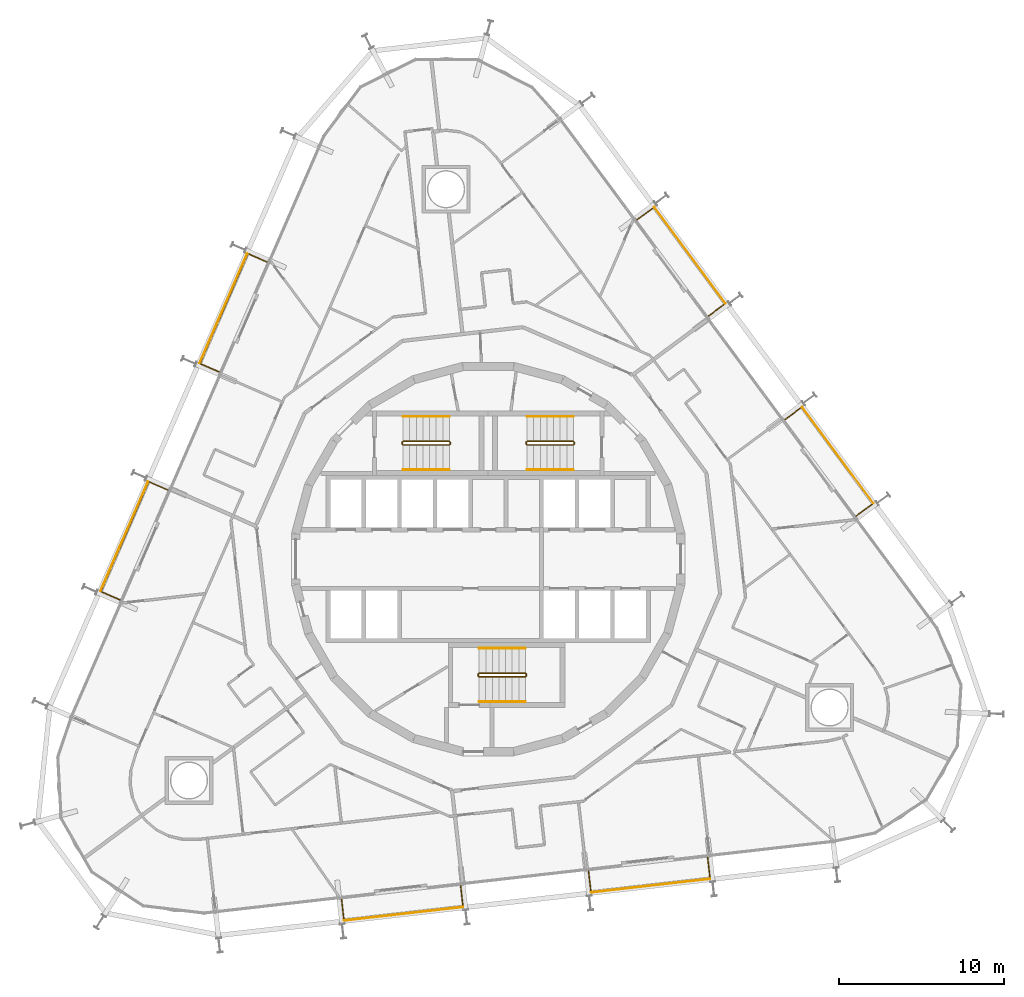
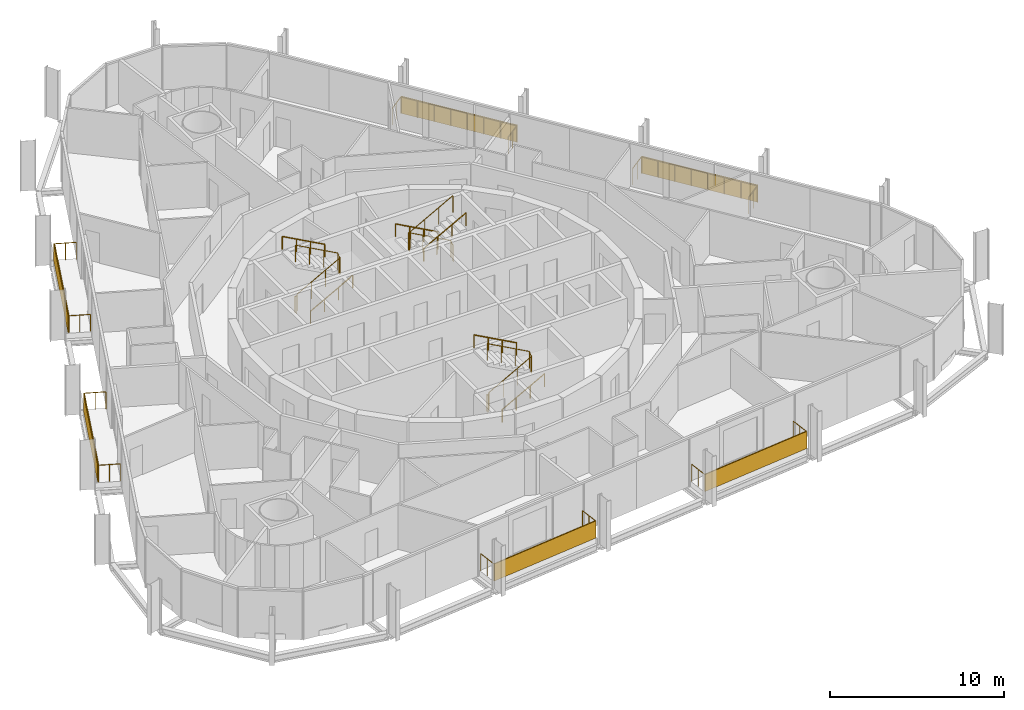
# One storey, part 21 of 21: 15 railings, 6 shading devices.
"""IFC4 building model written with IfcOpenShell, lengths in metres."""

from ifc_helpers import new_model, si_unit, direction, frame, origin, origin_2d, place, context, subcontext, project, spatial, rectangle, circle, extrude, material, layer, layer_set, type_object, element, save


model = new_model("IFC4")

# Units and contexts
model_context = context("Model", 3, precision=1e-05, world=origin(), true_north=direction((0.0, 1.0)))
body_context = subcontext(model_context, "Body", "Model", "MODEL_VIEW")
ifc_project = project(units=[si_unit("LENGTHUNIT", "METRE"), si_unit("AREAUNIT", "SQUARE_METRE"), si_unit("VOLUMEUNIT", "CUBIC_METRE"), si_unit("PLANEANGLEUNIT", "RADIAN"), si_unit("MASSUNIT", "GRAM", prefix="KILO")], contexts=[model_context])

# Site, building, storey
site_placement = place(None, origin())
site = spatial("IfcSite", under=ifc_project, at=site_placement, CompositionType="ELEMENT")
building_placement = place(site_placement, origin())
building = spatial("IfcBuilding", under=site, at=building_placement, Name="Spindle Arch Residences", CompositionType="ELEMENT")
storey_placement = place(building_placement, frame((0.0, 0.0, 97.699951171875)))
storey = spatial("IfcBuildingStorey", under=building, at=storey_placement, Name="L23", CompositionType="ELEMENT", Elevation=97.699951171875)

# Railings
ifc_material_1 = material(Name="Bronze anodised aluminium guard with glass infill", Category="aluminium")
railing_type_1 = type_object("IfcRailingType", Name="Balcony guard 1200", PredefinedType="GUARDRAIL", material=ifc_material_1)
railing_1_placement = place(storey_placement, frame((6.07080078125, -18.881591796875, 0.0)))
element("IfcRailing", 1, at=railing_1_placement, inside=storey, type_object=railing_type_1, Name="Guard L23 bay 1", PredefinedType="GUARDRAIL", context=body_context, shape_type="SweptSolid", body=[
    extrude(circle(Radius=0.02392578125, at=origin_2d()), frame((0.0, 0.0, 1.17578125), z_axis=(0.11328218126, -0.993562855289, 0.0), x_axis=(0.993562855289, 0.11328218126, 0.0)), (0.0, 0.0, 1.0), 1.25),
    extrude(circle(Radius=0.02392578125, at=origin_2d()), frame((0.1416015625, -1.241943359375, 1.17578125), z_axis=(0.993572236179, 0.113199874095, 0.0), x_axis=(-0.113199874095, 0.993572236179, 0.0)), (0.0, 0.0, 1.0), 7.248779296875),
    extrude(circle(Radius=0.02392578125, at=origin_2d()), frame((7.34375, -0.42138671875, 1.17578125), z_axis=(-0.113089367196, 0.993584820248, 0.0), x_axis=(-0.993584820248, -0.113089367196, 0.0)), (0.0, 0.0, 1.0), 1.25),
    extrude(circle(Radius=0.02099609375, at=origin_2d()), origin(), (0.0, 0.0, 1.0), 1.15185546875),
    extrude(circle(Radius=0.02099609375, at=origin_2d()), frame((0.07080078125, -0.62109375, 0.0)), (0.0, 0.0, 1.0), 1.15185546875),
    extrude(circle(Radius=0.02099609375, at=origin_2d()), frame((0.1416015625, -1.241943359375, 0.0)), (0.0, 0.0, 1.0), 1.15185546875),
    extrude(circle(Radius=0.02099609375, at=origin_2d()), frame((1.17041015625, -1.124755859375, 0.0)), (0.0, 0.0, 1.0), 1.15185546875),
    extrude(circle(Radius=0.02099609375, at=origin_2d()), frame((2.199462890625, -1.007568359375, 0.0)), (0.0, 0.0, 1.0), 1.15185546875),
    extrude(circle(Radius=0.02099609375, at=origin_2d()), frame((3.228271484375, -0.890380859375, 0.0)), (0.0, 0.0, 1.0), 1.15185546875),
    extrude(circle(Radius=0.02099609375, at=origin_2d()), frame((4.257080078125, -0.77294921875, 0.0)), (0.0, 0.0, 1.0), 1.15185546875),
    extrude(circle(Radius=0.02099609375, at=origin_2d()), frame((5.285888671875, -0.65576171875, 0.0)), (0.0, 0.0, 1.0), 1.15185546875),
    extrude(circle(Radius=0.02099609375, at=origin_2d()), frame((6.31494140625, -0.53857421875, 0.0)), (0.0, 0.0, 1.0), 1.15185546875),
    extrude(circle(Radius=0.02099609375, at=origin_2d()), frame((7.34375, -0.42138671875, 0.0)), (0.0, 0.0, 1.0), 1.15185546875),
    extrude(circle(Radius=0.02099609375, at=origin_2d()), frame((7.27294921875, 0.19970703125, 0.0)), (0.0, 0.0, 1.0), 1.15185546875),
    extrude(circle(Radius=0.02099609375, at=origin_2d()), frame((7.202392578125, 0.820556640625, 0.0)), (0.0, 0.0, 1.0), 1.15185546875),
])
railing_2_placement = place(storey_placement, frame((22.26123046875, 2.6103515625, 0.0)))
element("IfcRailing", 2, at=railing_2_placement, inside=storey, type_object=railing_type_1, Name="Guard L23 bay 7", PredefinedType="GUARDRAIL", context=body_context, shape_type="SweptSolid", body=[
    extrude(circle(Radius=0.02392578125, at=origin_2d()), frame((0.0, 0.0, 1.17578125), z_axis=(0.803920341668, 0.594736987459, 0.0), x_axis=(-0.594736987459, 0.803920341668, 0.0)), (0.0, 0.0, 1.0), 1.25),
    extrude(circle(Radius=0.02392578125, at=origin_2d()), frame((1.0048828125, 0.743408203125, 1.17578125), z_axis=(-0.594814278624, 0.803863156231, 0.0), x_axis=(-0.803863156231, -0.594814278624, 0.0)), (0.0, 0.0, 1.0), 7.2490234375),
    extrude(circle(Radius=0.02392578125, at=origin_2d()), frame((-3.306884765625, 6.570556640625, 1.17578125), z_axis=(-0.803826957932, -0.594863195787, 0.0), x_axis=(0.594863195787, -0.803826957932, 0.0)), (0.0, 0.0, 1.0), 1.250244140625),
    extrude(circle(Radius=0.02099609375, at=origin_2d()), origin(), (0.0, 0.0, 1.0), 1.15185546875),
    extrude(circle(Radius=0.02099609375, at=origin_2d()), frame((0.50244140625, 0.37158203125, 0.0)), (0.0, 0.0, 1.0), 1.15185546875),
    extrude(circle(Radius=0.02099609375, at=origin_2d()), frame((1.0048828125, 0.743408203125, 0.0)), (0.0, 0.0, 1.0), 1.15185546875),
    extrude(circle(Radius=0.02099609375, at=origin_2d()), frame((0.388916015625, 1.575927734375, 0.0)), (0.0, 0.0, 1.0), 1.15185546875),
    extrude(circle(Radius=0.02099609375, at=origin_2d()), frame((-0.22705078125, 2.408203125, 0.0)), (0.0, 0.0, 1.0), 1.15185546875),
    extrude(circle(Radius=0.02099609375, at=origin_2d()), frame((-0.843017578125, 3.24072265625, 0.0)), (0.0, 0.0, 1.0), 1.15185546875),
    extrude(circle(Radius=0.02099609375, at=origin_2d()), frame((-1.458984375, 4.0732421875, 0.0)), (0.0, 0.0, 1.0), 1.15185546875),
    extrude(circle(Radius=0.02099609375, at=origin_2d()), frame((-2.074951171875, 4.90576171875, 0.0)), (0.0, 0.0, 1.0), 1.15185546875),
    extrude(circle(Radius=0.02099609375, at=origin_2d()), frame((-2.69091796875, 5.738037109375, 0.0)), (0.0, 0.0, 1.0), 1.15185546875),
    extrude(circle(Radius=0.02099609375, at=origin_2d()), frame((-3.306884765625, 6.570556640625, 0.0)), (0.0, 0.0, 1.0), 1.15185546875),
    extrude(circle(Radius=0.02099609375, at=origin_2d()), frame((-3.809326171875, 6.19873046875, 0.0)), (0.0, 0.0, 1.0), 1.15185546875),
    extrude(circle(Radius=0.02099609375, at=origin_2d()), frame((-4.311767578125, 5.826904296875, 0.0)), (0.0, 0.0, 1.0), 1.15185546875),
])
railing_3_placement = place(storey_placement, frame((13.316650390625, 14.698486328125, 0.0)))
element("IfcRailing", 3, at=railing_3_placement, inside=storey, type_object=railing_type_1, Name="Guard L23 bay 9", PredefinedType="GUARDRAIL", context=body_context, shape_type="SweptSolid", body=[
    extrude(circle(Radius=0.02392578125, at=origin_2d()), frame((0.0, 0.0, 1.17578125), z_axis=(0.803851239792, 0.594830382786, 0.0), x_axis=(-0.594830382786, 0.803851239792, 0.0)), (0.0, 0.0, 1.0), 1.249755859375),
    extrude(circle(Radius=0.02392578125, at=origin_2d()), frame((1.004638671875, 0.743408203125, 1.17578125), z_axis=(-0.594830382786, 0.803851239792, 0.0), x_axis=(-0.803851239792, -0.594830382786, 0.0)), (0.0, 0.0, 1.0), 7.248779296875),
    extrude(circle(Radius=0.02392578125, at=origin_2d()), frame((-3.30712890625, 6.5703125, 1.17578125), z_axis=(-0.803851239792, -0.594830382786, 0.0), x_axis=(0.594830382786, -0.803851239792, 0.0)), (0.0, 0.0, 1.0), 1.249755859375),
    extrude(circle(Radius=0.02099609375, at=origin_2d()), origin(), (0.0, 0.0, 1.0), 1.15185546875),
    extrude(circle(Radius=0.02099609375, at=origin_2d()), frame((0.50244140625, 0.37158203125, 0.0)), (0.0, 0.0, 1.0), 1.15185546875),
    extrude(circle(Radius=0.02099609375, at=origin_2d()), frame((1.004638671875, 0.743408203125, 0.0)), (0.0, 0.0, 1.0), 1.15185546875),
    extrude(circle(Radius=0.02099609375, at=origin_2d()), frame((0.388671875, 1.575927734375, 0.0)), (0.0, 0.0, 1.0), 1.15185546875),
    extrude(circle(Radius=0.02099609375, at=origin_2d()), frame((-0.227294921875, 2.408203125, 0.0)), (0.0, 0.0, 1.0), 1.15185546875),
    extrude(circle(Radius=0.02099609375, at=origin_2d()), frame((-0.84326171875, 3.24072265625, 0.0)), (0.0, 0.0, 1.0), 1.15185546875),
    extrude(circle(Radius=0.02099609375, at=origin_2d()), frame((-1.459228515625, 4.072998046875, 0.0)), (0.0, 0.0, 1.0), 1.15185546875),
    extrude(circle(Radius=0.02099609375, at=origin_2d()), frame((-2.0751953125, 4.905517578125, 0.0)), (0.0, 0.0, 1.0), 1.15185546875),
    extrude(circle(Radius=0.02099609375, at=origin_2d()), frame((-2.691162109375, 5.73779296875, 0.0)), (0.0, 0.0, 1.0), 1.15185546875),
    extrude(circle(Radius=0.02099609375, at=origin_2d()), frame((-3.30712890625, 6.5703125, 0.0)), (0.0, 0.0, 1.0), 1.15185546875),
    extrude(circle(Radius=0.02099609375, at=origin_2d()), frame((-3.8095703125, 6.19873046875, 0.0)), (0.0, 0.0, 1.0), 1.15185546875),
    extrude(circle(Radius=0.02099609375, at=origin_2d()), frame((-4.311767578125, 5.826904296875, 0.0)), (0.0, 0.0, 1.0), 1.15185546875),
])
railing_4_placement = place(storey_placement, frame((-13.39111328125, 17.9736328125, 0.0)))
element("IfcRailing", 4, at=railing_4_placement, inside=storey, type_object=railing_type_1, Name="Guard L23 bay 15", PredefinedType="GUARDRAIL", context=body_context, shape_type="SweptSolid", body=[
    extrude(circle(Radius=0.02392578125, at=origin_2d()), frame((0.0, 0.0, 1.17578125), z_axis=(-0.917051427253, 0.398768955377, 0.0), x_axis=(-0.398768955377, -0.917051427253, 0.0)), (0.0, 0.0, 1.0), 1.250244140625),
    extrude(circle(Radius=0.02392578125, at=origin_2d()), frame((-1.146484375, 0.49853515625, 1.17578125), z_axis=(-0.398734732131, -0.917066308067, 0.0), x_axis=(0.917066308067, -0.398734732131, 0.0)), (0.0, 0.0, 1.0), 7.248779296875),
    extrude(circle(Radius=0.02392578125, at=origin_2d()), frame((-4.036865234375, -6.149169921875, 1.17578125), z_axis=(0.917091793142, -0.398676112844, 0.0), x_axis=(0.398676112844, 0.917091793142, 0.0)), (0.0, 0.0, 1.0), 1.249755859375),
    extrude(circle(Radius=0.02099609375, at=origin_2d()), origin(), (0.0, 0.0, 1.0), 1.15185546875),
    extrude(circle(Radius=0.02099609375, at=origin_2d()), frame((-0.5732421875, 0.249267578125, 0.0)), (0.0, 0.0, 1.0), 1.15185546875),
    extrude(circle(Radius=0.02099609375, at=origin_2d()), frame((-1.146484375, 0.49853515625, 0.0)), (0.0, 0.0, 1.0), 1.15185546875),
    extrude(circle(Radius=0.02099609375, at=origin_2d()), frame((-1.559326171875, -0.451171875, 0.0)), (0.0, 0.0, 1.0), 1.15185546875),
    extrude(circle(Radius=0.02099609375, at=origin_2d()), frame((-1.972412109375, -1.40087890625, 0.0)), (0.0, 0.0, 1.0), 1.15185546875),
    extrude(circle(Radius=0.02099609375, at=origin_2d()), frame((-2.38525390625, -2.3505859375, 0.0)), (0.0, 0.0, 1.0), 1.15185546875),
    extrude(circle(Radius=0.02099609375, at=origin_2d()), frame((-2.798095703125, -3.300048828125, 0.0)), (0.0, 0.0, 1.0), 1.15185546875),
    extrude(circle(Radius=0.02099609375, at=origin_2d()), frame((-3.2109375, -4.249755859375, 0.0)), (0.0, 0.0, 1.0), 1.15185546875),
    extrude(circle(Radius=0.02099609375, at=origin_2d()), frame((-3.6240234375, -5.199462890625, 0.0)), (0.0, 0.0, 1.0), 1.15185546875),
    extrude(circle(Radius=0.02099609375, at=origin_2d()), frame((-4.036865234375, -6.149169921875, 0.0)), (0.0, 0.0, 1.0), 1.15185546875),
    extrude(circle(Radius=0.02099609375, at=origin_2d()), frame((-3.4638671875, -6.3984375, 0.0)), (0.0, 0.0, 1.0), 1.15185546875),
    extrude(circle(Radius=0.02099609375, at=origin_2d()), frame((-2.890625, -6.6474609375, 0.0)), (0.0, 0.0, 1.0), 1.15185546875),
])
railing_5_placement = place(storey_placement, frame((-19.387451171875, 4.183349609375, 0.0)))
element("IfcRailing", 5, at=railing_5_placement, inside=storey, type_object=railing_type_1, Name="Guard L23 bay 17", PredefinedType="GUARDRAIL", context=body_context, shape_type="SweptSolid", body=[
    extrude(circle(Radius=0.02392578125, at=origin_2d()), frame((0.0, 0.0, 1.17578125), z_axis=(-0.917091793142, 0.398676112844, 0.0), x_axis=(-0.398676112844, -0.917091793142, 0.0)), (0.0, 0.0, 1.0), 1.249755859375),
    extrude(circle(Radius=0.02392578125, at=origin_2d()), frame((-1.146240234375, 0.498291015625, 1.17578125), z_axis=(-0.39877537304, -0.917048636582, 0.0), x_axis=(0.917048636582, -0.39877537304, 0.0)), (0.0, 0.0, 1.0), 7.248779296875),
    extrude(circle(Radius=0.02392578125, at=origin_2d()), frame((-4.036865234375, -6.149169921875, 1.17578125), z_axis=(0.917051427253, -0.398768955377, 0.0), x_axis=(0.398768955377, 0.917051427253, 0.0)), (0.0, 0.0, 1.0), 1.250244140625),
    extrude(circle(Radius=0.02099609375, at=origin_2d()), origin(), (0.0, 0.0, 1.0), 1.15185546875),
    extrude(circle(Radius=0.02099609375, at=origin_2d()), frame((-0.5732421875, 0.2490234375, 0.0)), (0.0, 0.0, 1.0), 1.15185546875),
    extrude(circle(Radius=0.02099609375, at=origin_2d()), frame((-1.146240234375, 0.498291015625, 0.0)), (0.0, 0.0, 1.0), 1.15185546875),
    extrude(circle(Radius=0.02099609375, at=origin_2d()), frame((-1.55908203125, -0.451416015625, 0.0)), (0.0, 0.0, 1.0), 1.15185546875),
    extrude(circle(Radius=0.02099609375, at=origin_2d()), frame((-1.97216796875, -1.40087890625, 0.0)), (0.0, 0.0, 1.0), 1.15185546875),
    extrude(circle(Radius=0.02099609375, at=origin_2d()), frame((-2.385009765625, -2.3505859375, 0.0)), (0.0, 0.0, 1.0), 1.15185546875),
    extrude(circle(Radius=0.02099609375, at=origin_2d()), frame((-2.798095703125, -3.30029296875, 0.0)), (0.0, 0.0, 1.0), 1.15185546875),
    extrude(circle(Radius=0.02099609375, at=origin_2d()), frame((-3.2109375, -4.25, 0.0)), (0.0, 0.0, 1.0), 1.15185546875),
    extrude(circle(Radius=0.02099609375, at=origin_2d()), frame((-3.6240234375, -5.199462890625, 0.0)), (0.0, 0.0, 1.0), 1.15185546875),
    extrude(circle(Radius=0.02099609375, at=origin_2d()), frame((-4.036865234375, -6.149169921875, 0.0)), (0.0, 0.0, 1.0), 1.15185546875),
    extrude(circle(Radius=0.02099609375, at=origin_2d()), frame((-3.463623046875, -6.3984375, 0.0)), (0.0, 0.0, 1.0), 1.15185546875),
    extrude(circle(Radius=0.02099609375, at=origin_2d()), frame((-2.890380859375, -6.647705078125, 0.0)), (0.0, 0.0, 1.0), 1.15185546875),
])
railing_6_placement = place(storey_placement, frame((-8.8701171875, -20.583984375, 0.0)))
element("IfcRailing", 6, at=railing_6_placement, inside=storey, type_object=railing_type_1, Name="Guard L23 bay 23", PredefinedType="GUARDRAIL", context=body_context, shape_type="SweptSolid", body=[
    extrude(circle(Radius=0.02392578125, at=origin_2d()), frame((0.0, 0.0, 1.17578125), z_axis=(0.11328218126, -0.993562855289, 0.0), x_axis=(0.993562855289, 0.11328218126, 0.0)), (0.0, 0.0, 1.0), 1.25),
    extrude(circle(Radius=0.02392578125, at=origin_2d()), frame((0.1416015625, -1.241943359375, 1.17578125), z_axis=(0.993572236179, 0.113199874095, 0.0), x_axis=(-0.113199874095, 0.993572236179, 0.0)), (0.0, 0.0, 1.0), 7.248779296875),
    extrude(circle(Radius=0.02392578125, at=origin_2d()), frame((7.34375, -0.42138671875, 1.17578125), z_axis=(-0.11328218126, 0.993562855289, 0.0), x_axis=(-0.993562855289, -0.11328218126, 0.0)), (0.0, 0.0, 1.0), 1.25),
    extrude(circle(Radius=0.02099609375, at=origin_2d()), origin(), (0.0, 0.0, 1.0), 1.15185546875),
    extrude(circle(Radius=0.02099609375, at=origin_2d()), frame((0.07080078125, -0.62109375, 0.0)), (0.0, 0.0, 1.0), 1.15185546875),
    extrude(circle(Radius=0.02099609375, at=origin_2d()), frame((0.1416015625, -1.241943359375, 0.0)), (0.0, 0.0, 1.0), 1.15185546875),
    extrude(circle(Radius=0.02099609375, at=origin_2d()), frame((1.17041015625, -1.124755859375, 0.0)), (0.0, 0.0, 1.0), 1.15185546875),
    extrude(circle(Radius=0.02099609375, at=origin_2d()), frame((2.199462890625, -1.007568359375, 0.0)), (0.0, 0.0, 1.0), 1.15185546875),
    extrude(circle(Radius=0.02099609375, at=origin_2d()), frame((3.228271484375, -0.890380859375, 0.0)), (0.0, 0.0, 1.0), 1.15185546875),
    extrude(circle(Radius=0.02099609375, at=origin_2d()), frame((4.257080078125, -0.77294921875, 0.0)), (0.0, 0.0, 1.0), 1.15185546875),
    extrude(circle(Radius=0.02099609375, at=origin_2d()), frame((5.285888671875, -0.65576171875, 0.0)), (0.0, 0.0, 1.0), 1.15185546875),
    extrude(circle(Radius=0.02099609375, at=origin_2d()), frame((6.31494140625, -0.53857421875, 0.0)), (0.0, 0.0, 1.0), 1.15185546875),
    extrude(circle(Radius=0.02099609375, at=origin_2d()), frame((7.34375, -0.42138671875, 0.0)), (0.0, 0.0, 1.0), 1.15185546875),
    extrude(circle(Radius=0.02099609375, at=origin_2d()), frame((7.27294921875, 0.19970703125, 0.0)), (0.0, 0.0, 1.0), 1.15185546875),
    extrude(circle(Radius=0.02099609375, at=origin_2d()), frame((7.2021484375, 0.820556640625, 0.0)), (0.0, 0.0, 1.0), 1.15185546875),
])

# Shading devices
ifc_material_2 = material(Name="Bronze perforated cobogo screen")
ifc_layer = layer(ifc_material_2, 0.0390625)
ifc_layer_set = layer_set([ifc_layer], Name="Cobogo screen 1200")
shading_device_type = type_object("IfcShadingDeviceType", Name="Cobogo screen 1200", PredefinedType="USERDEFINED", material=ifc_layer_set)
for number, where, z_axis, x_axis, name in (
    (7, (9.818115234375, -19.753662109375, 0.0), (0.0, 0.0, 1.0), (0.993571855677, 0.113203213768, 0.0), "Cobogo screen L23 bay 1"),
    (8, (21.142822265625, 6.29150390625, 0.0), (0.0, 0.0, 1.0), (-0.594822786751, 0.803856860617, 0.0), "Cobogo screen L23 bay 7"),
    (9, (12.197998046875, 18.37939453125, 0.0), (0.0, 0.0, 1.0), (-0.594822786751, 0.803856860617, 0.0), "Cobogo screen L23 bay 9"),
    (10, (-16.019775390625, 15.16455078125, 0.0), (0.0, 0.0, 1.0), (-0.398749068925, -0.917060074385, 0.0), "Cobogo screen L23 bay 15"),
    (11, (-22.01611328125, 1.3740234375, 0.0), (0.0, 0.0, 1.0), (-0.398749068925, -0.917060074385, 0.0), "Cobogo screen L23 bay 17"),
    (12, (-5.122802734375, -21.455810546875, 0.0), (0.0, 0.0, 1.0), (0.993571855677, 0.113203213768, 0.0), "Cobogo screen L23 bay 23"),
):
    element("IfcShadingDevice", number, at=place(storey_placement, frame(where, z_axis=z_axis, x_axis=x_axis)), inside=storey, type_object=shading_device_type, Name=name, ObjectType="SCREEN", PredefinedType="USERDEFINED", context=body_context, shape_type="SweptSolid", body=[
        extrude(rectangle(XDim=7.248779296875, YDim=0.0390625, at=origin_2d()), origin(), (0.0, 0.0, 1.0), 1.199951171875),
    ])

# Railings
ifc_material_3 = material(Name="Steel, painted", Category="steel")
railing_type_2 = type_object("IfcRailingType", Name="Stair guard 1100", PredefinedType="GUARDRAIL", material=ifc_material_3)
railing_7_placement = place(storey_placement, frame((5.14990234375, 6.89990234375, 3.5)))
element("IfcRailing", 13, at=railing_7_placement, inside=storey, type_object=railing_type_2, Name="L23 ST1 stair guard 1", PredefinedType="GUARDRAIL", context=body_context, shape_type="SweptSolid", body=[
    extrude(circle(Radius=0.02392578125, at=origin_2d()), frame((0.0, 0.0, 1.17578125), z_axis=(-0.877357048833, 0.0, -0.479838106931), x_axis=(0.0, -1.0, 0.0)), (0.0, 0.0, 1.0), 3.191162109375),
    extrude(circle(Radius=0.02392578125, at=origin_2d()), frame((-2.7998046875, 0.0, -0.35546875), z_axis=(-0.217683172539, 0.217683172539, -0.951434744366), x_axis=(-0.707106781187, -0.707106781187, 0.0)), (0.0, 0.0, 1.0), 0.22998046875),
    extrude(circle(Radius=0.02392578125, at=origin_2d()), frame((-2.849853515625, 0.050048828125, -0.57421875), z_axis=(0.0, 1.0, 0.0), x_axis=(-1.0, 0.0, 0.0)), (0.0, 0.0, 1.0), 0.1201171875),
    extrude(circle(Radius=0.02392578125, at=origin_2d()), frame((-2.849853515625, 0.170166015625, -0.57421875), z_axis=(0.707106781187, 0.707106781187, 0.0), x_axis=(-0.707106781187, 0.707106781187, 0.0)), (0.0, 0.0, 1.0), 0.07080078125),
    extrude(circle(Radius=0.02392578125, at=origin_2d()), frame((-2.7998046875, 0.22021484375, -0.57421875), z_axis=(0.877357048833, 0.0, -0.479838106931), x_axis=(0.0, 1.0, 0.0)), (0.0, 0.0, 1.0), 3.191162109375),
    extrude(circle(Radius=0.02392578125, at=origin_2d()), frame((0.0, 0.22021484375, -2.10546875), z_axis=(0.217683172539, -0.217683172539, -0.951434744366), x_axis=(0.707106781187, 0.707106781187, 0.0)), (0.0, 0.0, 1.0), 0.22998046875),
    extrude(circle(Radius=0.02392578125, at=origin_2d()), frame((0.050048828125, 0.170166015625, -2.32421875), z_axis=(0.0, -1.0, 0.0), x_axis=(1.0, 0.0, 0.0)), (0.0, 0.0, 1.0), 0.1201171875),
    extrude(circle(Radius=0.02099609375, at=origin_2d()), origin(), (0.0, 0.0, 1.0), 1.15185546875),
    extrude(circle(Radius=0.02099609375, at=origin_2d()), frame((-0.933349609375, 0.0, -0.510498046875)), (0.0, 0.0, 1.0), 1.15185546875),
    extrude(circle(Radius=0.02099609375, at=origin_2d()), frame((-1.866455078125, 0.0, -1.020751953125)), (0.0, 0.0, 1.0), 1.15185546875),
    extrude(circle(Radius=0.02099609375, at=origin_2d()), frame((-2.7998046875, 0.0, -1.53125)), (0.0, 0.0, 1.0), 1.15185546875),
    extrude(circle(Radius=0.02099609375, at=origin_2d()), frame((-2.849853515625, 0.050048828125, -1.75)), (0.0, 0.0, 1.0), 1.15185546875),
    extrude(circle(Radius=0.02099609375, at=origin_2d()), frame((-2.849853515625, 0.170166015625, -1.75)), (0.0, 0.0, 1.0), 1.15185546875),
    extrude(circle(Radius=0.02099609375, at=origin_2d()), frame((-2.7998046875, 0.22021484375, -1.75)), (0.0, 0.0, 1.0), 1.15185546875),
    extrude(circle(Radius=0.02099609375, at=origin_2d()), frame((-1.866455078125, 0.22021484375, -2.260498046875)), (0.0, 0.0, 1.0), 1.15185546875),
    extrude(circle(Radius=0.02099609375, at=origin_2d()), frame((-0.933349609375, 0.22021484375, -2.770751953125)), (0.0, 0.0, 1.0), 1.15185546875),
    extrude(circle(Radius=0.02099609375, at=origin_2d()), frame((0.0, 0.22021484375, -3.28125)), (0.0, 0.0, 1.0), 1.15185546875),
    extrude(circle(Radius=0.02099609375, at=origin_2d()), frame((0.050048828125, 0.170166015625, -3.5)), (0.0, 0.0, 1.0), 1.15185546875),
    extrude(circle(Radius=0.02099609375, at=origin_2d()), frame((0.050048828125, 0.050048828125, -3.5)), (0.0, 0.0, 1.0), 1.15185546875),
])
railing_8_placement = place(storey_placement, frame((-5.14990234375, 7.1201171875, 3.5)))
element("IfcRailing", 14, at=railing_8_placement, inside=storey, type_object=railing_type_2, Name="L23 ST2 stair guard 1", PredefinedType="GUARDRAIL", context=body_context, shape_type="SweptSolid", body=[
    extrude(circle(Radius=0.02392578125, at=origin_2d()), frame((0.0, 0.0, 1.17578125), z_axis=(0.877357048833, 0.0, -0.479838106931), x_axis=(0.0, 1.0, 0.0)), (0.0, 0.0, 1.0), 3.191162109375),
    extrude(circle(Radius=0.02392578125, at=origin_2d()), frame((2.7998046875, 0.0, -0.35546875), z_axis=(0.217683172539, -0.217683172539, -0.951434744366), x_axis=(0.707106781187, 0.707106781187, 0.0)), (0.0, 0.0, 1.0), 0.22998046875),
    extrude(circle(Radius=0.02392578125, at=origin_2d()), frame((2.849853515625, -0.050048828125, -0.57421875), z_axis=(0.0, -1.0, 0.0), x_axis=(1.0, 0.0, 0.0)), (0.0, 0.0, 1.0), 0.1201171875),
    extrude(circle(Radius=0.02392578125, at=origin_2d()), frame((2.849853515625, -0.170166015625, -0.57421875), z_axis=(-0.707106781187, -0.707106781187, 0.0), x_axis=(0.707106781187, -0.707106781187, 0.0)), (0.0, 0.0, 1.0), 0.07080078125),
    extrude(circle(Radius=0.02392578125, at=origin_2d()), frame((2.7998046875, -0.22021484375, -0.57421875), z_axis=(-0.877357048833, 0.0, -0.479838106931), x_axis=(0.0, -1.0, 0.0)), (0.0, 0.0, 1.0), 3.191162109375),
    extrude(circle(Radius=0.02392578125, at=origin_2d()), frame((0.0, -0.22021484375, -2.10546875), z_axis=(-0.217683172539, 0.217683172539, -0.951434744366), x_axis=(-0.707106781187, -0.707106781187, 0.0)), (0.0, 0.0, 1.0), 0.22998046875),
    extrude(circle(Radius=0.02392578125, at=origin_2d()), frame((-0.050048828125, -0.170166015625, -2.32421875), z_axis=(0.0, 1.0, 0.0), x_axis=(-1.0, 0.0, 0.0)), (0.0, 0.0, 1.0), 0.1201171875),
    extrude(circle(Radius=0.02099609375, at=origin_2d()), origin(), (0.0, 0.0, 1.0), 1.15185546875),
    extrude(circle(Radius=0.02099609375, at=origin_2d()), frame((0.933349609375, 0.0, -0.510498046875)), (0.0, 0.0, 1.0), 1.15185546875),
    extrude(circle(Radius=0.02099609375, at=origin_2d()), frame((1.866455078125, 0.0, -1.020751953125)), (0.0, 0.0, 1.0), 1.15185546875),
    extrude(circle(Radius=0.02099609375, at=origin_2d()), frame((2.7998046875, 0.0, -1.53125)), (0.0, 0.0, 1.0), 1.15185546875),
    extrude(circle(Radius=0.02099609375, at=origin_2d()), frame((2.849853515625, -0.050048828125, -1.75)), (0.0, 0.0, 1.0), 1.15185546875),
    extrude(circle(Radius=0.02099609375, at=origin_2d()), frame((2.849853515625, -0.170166015625, -1.75)), (0.0, 0.0, 1.0), 1.15185546875),
    extrude(circle(Radius=0.02099609375, at=origin_2d()), frame((2.7998046875, -0.22021484375, -1.75)), (0.0, 0.0, 1.0), 1.15185546875),
    extrude(circle(Radius=0.02099609375, at=origin_2d()), frame((1.866455078125, -0.22021484375, -2.260498046875)), (0.0, 0.0, 1.0), 1.15185546875),
    extrude(circle(Radius=0.02099609375, at=origin_2d()), frame((0.933349609375, -0.22021484375, -2.770751953125)), (0.0, 0.0, 1.0), 1.15185546875),
    extrude(circle(Radius=0.02099609375, at=origin_2d()), frame((0.0, -0.22021484375, -3.28125)), (0.0, 0.0, 1.0), 1.15185546875),
    extrude(circle(Radius=0.02099609375, at=origin_2d()), frame((-0.050048828125, -0.170166015625, -3.5)), (0.0, 0.0, 1.0), 1.15185546875),
    extrude(circle(Radius=0.02099609375, at=origin_2d()), frame((-0.050048828125, -0.050048828125, -3.5)), (0.0, 0.0, 1.0), 1.15185546875),
])
railing_9_placement = place(storey_placement, frame((-0.550048828125, -6.89990234375, 3.5)))
element("IfcRailing", 15, at=railing_9_placement, inside=storey, type_object=railing_type_2, Name="L23 ST3 stair guard 1", PredefinedType="GUARDRAIL", context=body_context, shape_type="SweptSolid", body=[
    extrude(circle(Radius=0.02392578125, at=origin_2d()), frame((0.0, 0.0, 1.17578125), z_axis=(0.877374661878, 0.0, -0.479805901063), x_axis=(0.0, 1.0, 0.0)), (0.0, 0.0, 1.0), 3.19140625),
    extrude(circle(Radius=0.02392578125, at=origin_2d()), frame((2.800048828125, 0.0, -0.35546875), z_axis=(0.217683172539, -0.217683172539, -0.951434744366), x_axis=(0.707106781187, 0.707106781187, 0.0)), (0.0, 0.0, 1.0), 0.22998046875),
    extrude(circle(Radius=0.02392578125, at=origin_2d()), frame((2.85009765625, -0.050048828125, -0.57421875), z_axis=(0.0, -1.0, 0.0), x_axis=(1.0, 0.0, 0.0)), (0.0, 0.0, 1.0), 0.1201171875),
    extrude(circle(Radius=0.02392578125, at=origin_2d()), frame((2.85009765625, -0.170166015625, -0.57421875), z_axis=(-0.707106781187, -0.707106781187, 0.0), x_axis=(0.707106781187, -0.707106781187, 0.0)), (0.0, 0.0, 1.0), 0.07080078125),
    extrude(circle(Radius=0.02392578125, at=origin_2d()), frame((2.800048828125, -0.22021484375, -0.57421875), z_axis=(-0.877374661878, 0.0, -0.479805901063), x_axis=(0.0, -1.0, 0.0)), (0.0, 0.0, 1.0), 3.19140625),
    extrude(circle(Radius=0.02392578125, at=origin_2d()), frame((0.0, -0.22021484375, -2.10546875), z_axis=(-0.217683172539, 0.217683172539, -0.951434744366), x_axis=(-0.707106781187, -0.707106781187, 0.0)), (0.0, 0.0, 1.0), 0.22998046875),
    extrude(circle(Radius=0.02392578125, at=origin_2d()), frame((-0.050048828125, -0.170166015625, -2.32421875), z_axis=(0.0, 1.0, 0.0), x_axis=(-1.0, 0.0, 0.0)), (0.0, 0.0, 1.0), 0.1201171875),
    extrude(circle(Radius=0.02099609375, at=origin_2d()), origin(), (0.0, 0.0, 1.0), 1.15185546875),
    extrude(circle(Radius=0.02099609375, at=origin_2d()), frame((0.933349609375, 0.0, -0.510498046875)), (0.0, 0.0, 1.0), 1.15185546875),
    extrude(circle(Radius=0.02099609375, at=origin_2d()), frame((1.86669921875, 0.0, -1.020751953125)), (0.0, 0.0, 1.0), 1.15185546875),
    extrude(circle(Radius=0.02099609375, at=origin_2d()), frame((2.800048828125, 0.0, -1.53125)), (0.0, 0.0, 1.0), 1.15185546875),
    extrude(circle(Radius=0.02099609375, at=origin_2d()), frame((2.85009765625, -0.050048828125, -1.75)), (0.0, 0.0, 1.0), 1.15185546875),
    extrude(circle(Radius=0.02099609375, at=origin_2d()), frame((2.85009765625, -0.170166015625, -1.75)), (0.0, 0.0, 1.0), 1.15185546875),
    extrude(circle(Radius=0.02099609375, at=origin_2d()), frame((2.800048828125, -0.22021484375, -1.75)), (0.0, 0.0, 1.0), 1.15185546875),
    extrude(circle(Radius=0.02099609375, at=origin_2d()), frame((1.86669921875, -0.22021484375, -2.260498046875)), (0.0, 0.0, 1.0), 1.15185546875),
    extrude(circle(Radius=0.02099609375, at=origin_2d()), frame((0.933349609375, -0.22021484375, -2.770751953125)), (0.0, 0.0, 1.0), 1.15185546875),
    extrude(circle(Radius=0.02099609375, at=origin_2d()), frame((0.0, -0.22021484375, -3.28125)), (0.0, 0.0, 1.0), 1.15185546875),
    extrude(circle(Radius=0.02099609375, at=origin_2d()), frame((-0.050048828125, -0.170166015625, -3.5)), (0.0, 0.0, 1.0), 1.15185546875),
    extrude(circle(Radius=0.02099609375, at=origin_2d()), frame((-0.050048828125, -0.050048828125, -3.5)), (0.0, 0.0, 1.0), 1.15185546875),
])
ifc_material_4 = material(Name="Steel, painted", Category="steel")
railing_type_3 = type_object("IfcRailingType", Name="Stair handrail 900", PredefinedType="HANDRAIL", material=ifc_material_4)
railing_10_placement = place(storey_placement, frame((5.14990234375, 8.6201171875, 0.21875)))
element("IfcRailing", 16, at=railing_10_placement, inside=storey, type_object=railing_type_3, Name="L23 ST1 stair handrail 1", PredefinedType="HANDRAIL", context=body_context, shape_type="SweptSolid", body=[
    extrude(circle(Radius=0.02392578125, at=origin_2d()), frame((0.0, 0.0, 0.8759765625), z_axis=(-0.877357048833, 0.0, 0.479838106931), x_axis=(0.0, -1.0, 0.0)), (0.0, 0.0, 1.0), 3.191162109375),
    extrude(circle(Radius=0.02099609375, at=origin_2d()), origin(), (0.0, 0.0, 1.0), 0.851806640625),
    extrude(circle(Radius=0.02099609375, at=origin_2d()), frame((-0.933349609375, 0.0, 0.510498046875)), (0.0, 0.0, 1.0), 0.851806640625),
    extrude(circle(Radius=0.02099609375, at=origin_2d()), frame((-1.866455078125, 0.0, 1.020751953125)), (0.0, 0.0, 1.0), 0.851806640625),
    extrude(circle(Radius=0.02099609375, at=origin_2d()), frame((-2.7998046875, 0.0, 1.53125)), (0.0, 0.0, 1.0), 0.851806640625),
])
for number, where, name in (
    (17, (2.35009765625, 5.39990234375, 1.96875), "L23 ST1 stair handrail 2"),
    (18, (-5.14990234375, 5.39990234375, 0.21875), "L23 ST2 stair handrail 1"),
):
    element("IfcRailing", number, at=place(storey_placement, frame(where)), inside=storey, type_object=railing_type_3, Name=name, PredefinedType="HANDRAIL", context=body_context, shape_type="SweptSolid", body=[
        extrude(circle(Radius=0.02392578125, at=origin_2d()), frame((0.0, 0.0, 0.8759765625), z_axis=(0.877357048833, 0.0, 0.479838106931), x_axis=(0.0, 1.0, 0.0)), (0.0, 0.0, 1.0), 3.191162109375),
        extrude(circle(Radius=0.02099609375, at=origin_2d()), origin(), (0.0, 0.0, 1.0), 0.851806640625),
        extrude(circle(Radius=0.02099609375, at=origin_2d()), frame((0.933349609375, 0.0, 0.510498046875)), (0.0, 0.0, 1.0), 0.851806640625),
        extrude(circle(Radius=0.02099609375, at=origin_2d()), frame((1.866455078125, 0.0, 1.020751953125)), (0.0, 0.0, 1.0), 0.851806640625),
        extrude(circle(Radius=0.02099609375, at=origin_2d()), frame((2.7998046875, 0.0, 1.53125)), (0.0, 0.0, 1.0), 0.851806640625),
    ])
railing_11_placement = place(storey_placement, frame((-2.35009765625, 8.6201171875, 1.96875)))
element("IfcRailing", 19, at=railing_11_placement, inside=storey, type_object=railing_type_3, Name="L23 ST2 stair handrail 2", PredefinedType="HANDRAIL", context=body_context, shape_type="SweptSolid", body=[
    extrude(circle(Radius=0.02392578125, at=origin_2d()), frame((0.0, 0.0, 0.8759765625), z_axis=(-0.877357048833, 0.0, 0.479838106931), x_axis=(0.0, -1.0, 0.0)), (0.0, 0.0, 1.0), 3.191162109375),
    extrude(circle(Radius=0.02099609375, at=origin_2d()), origin(), (0.0, 0.0, 1.0), 0.851806640625),
    extrude(circle(Radius=0.02099609375, at=origin_2d()), frame((-0.933349609375, 0.0, 0.510498046875)), (0.0, 0.0, 1.0), 0.851806640625),
    extrude(circle(Radius=0.02099609375, at=origin_2d()), frame((-1.866455078125, 0.0, 1.020751953125)), (0.0, 0.0, 1.0), 0.851806640625),
    extrude(circle(Radius=0.02099609375, at=origin_2d()), frame((-2.7998046875, 0.0, 1.53125)), (0.0, 0.0, 1.0), 0.851806640625),
])
railing_12_placement = place(storey_placement, frame((-0.550048828125, -8.6201171875, 0.21875)))
element("IfcRailing", 20, at=railing_12_placement, inside=storey, type_object=railing_type_3, Name="L23 ST3 stair handrail 1", PredefinedType="HANDRAIL", context=body_context, shape_type="SweptSolid", body=[
    extrude(circle(Radius=0.02392578125, at=origin_2d()), frame((0.0, 0.0, 0.8759765625), z_axis=(0.877374661878, 0.0, 0.479805901063), x_axis=(0.0, 1.0, 0.0)), (0.0, 0.0, 1.0), 3.19140625),
    extrude(circle(Radius=0.02099609375, at=origin_2d()), origin(), (0.0, 0.0, 1.0), 0.851806640625),
    extrude(circle(Radius=0.02099609375, at=origin_2d()), frame((0.933349609375, 0.0, 0.510498046875)), (0.0, 0.0, 1.0), 0.851806640625),
    extrude(circle(Radius=0.02099609375, at=origin_2d()), frame((1.86669921875, 0.0, 1.020751953125)), (0.0, 0.0, 1.0), 0.851806640625),
    extrude(circle(Radius=0.02099609375, at=origin_2d()), frame((2.800048828125, 0.0, 1.53125)), (0.0, 0.0, 1.0), 0.851806640625),
])
railing_13_placement = place(storey_placement, frame((2.25, -5.39990234375, 1.96875)))
element("IfcRailing", 21, at=railing_13_placement, inside=storey, type_object=railing_type_3, Name="L23 ST3 stair handrail 2", PredefinedType="HANDRAIL", context=body_context, shape_type="SweptSolid", body=[
    extrude(circle(Radius=0.02392578125, at=origin_2d()), frame((0.0, 0.0, 0.8759765625), z_axis=(-0.877374661878, 0.0, 0.479805901063), x_axis=(0.0, -1.0, 0.0)), (0.0, 0.0, 1.0), 3.19140625),
    extrude(circle(Radius=0.02099609375, at=origin_2d()), origin(), (0.0, 0.0, 1.0), 0.851806640625),
    extrude(circle(Radius=0.02099609375, at=origin_2d()), frame((-0.933349609375, 0.0, 0.510498046875)), (0.0, 0.0, 1.0), 0.851806640625),
    extrude(circle(Radius=0.02099609375, at=origin_2d()), frame((-1.86669921875, 0.0, 1.020751953125)), (0.0, 0.0, 1.0), 0.851806640625),
    extrude(circle(Radius=0.02099609375, at=origin_2d()), frame((-2.800048828125, 0.0, 1.53125)), (0.0, 0.0, 1.0), 0.851806640625),
])

save(model, "model.ifc")
